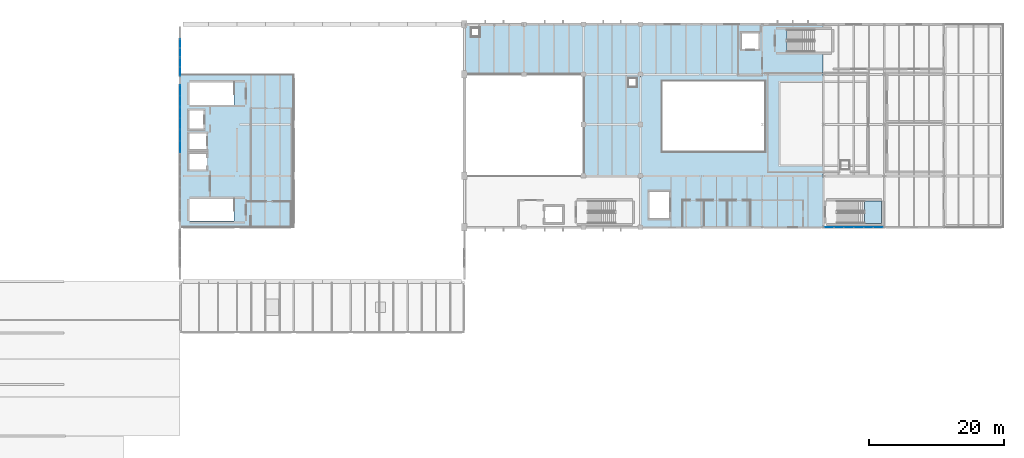
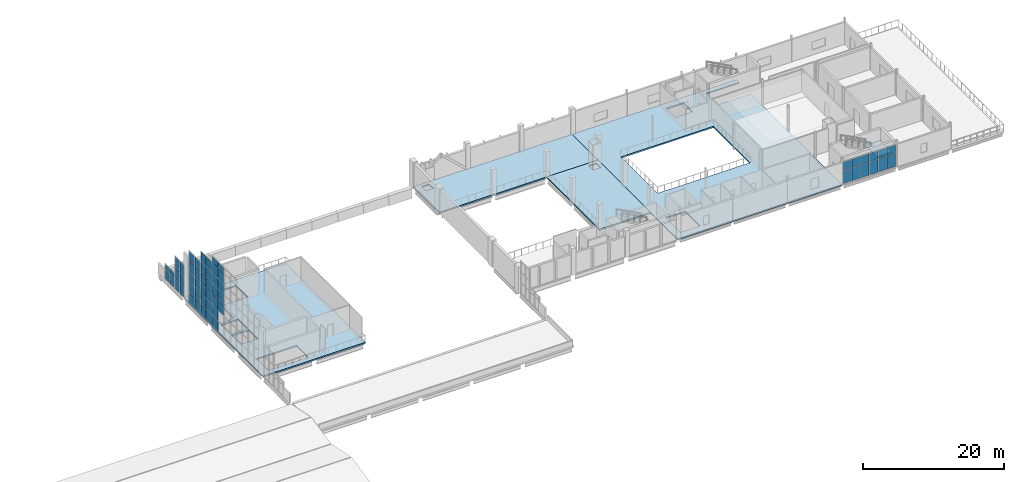
# One storey, part 24 of 37: 56 plates, 5 slabs, 7 elements without a shape of their own.
"""IFC4 building model written with IfcOpenShell, lengths in metres."""

from ifc_helpers import new_model, si_unit, direction, frame, origin, origin_2d, place, context, subcontext, project, spatial, polyline, rectangle, outline, extrude, material, layer, layer_set, type_object, element, aggregate, save


model = new_model("IFC4")

# Units and contexts
model_context = context("Model", 3, precision=1e-05, world=origin(), true_north=direction((0.0, 1.0)))
body_context = subcontext(model_context, "Body", "Model", "MODEL_VIEW")
ifc_project = project(units=[si_unit("LENGTHUNIT", "METRE"), si_unit("AREAUNIT", "SQUARE_METRE"), si_unit("VOLUMEUNIT", "CUBIC_METRE"), si_unit("PLANEANGLEUNIT", "RADIAN"), si_unit("MASSUNIT", "GRAM", prefix="KILO")], contexts=[model_context])

# Site, building, storey
site_placement = place(None, origin())
site = spatial("IfcSite", under=ifc_project, at=site_placement, CompositionType="ELEMENT")
building_placement = place(site_placement, origin())
building = spatial("IfcBuilding", under=site, at=building_placement, Name="Shengluoqiao Park Theatre", CompositionType="ELEMENT")
storey_placement = place(building_placement, frame((0.0, 0.0, 19.199951171875)))
storey = spatial("IfcBuildingStorey", under=building, at=storey_placement, Name="L04", CompositionType="ELEMENT", Elevation=19.199951171875)

# Curtain wall, plates
ifc_material_1 = material(Name="Aluminium 6063-T6", Category="aluminium")
curtain_wall_type = type_object("IfcCurtainWallType", Name="ENV-CW-CLERE", PredefinedType="NOTDEFINED", material=ifc_material_1)
curtain_wall_1_placement = place(storey_placement, origin())
curtain_wall_1 = element("IfcCurtainWall", 1, at=curtain_wall_1_placement, inside=storey, type_object=curtain_wall_type, Name="L04 Curtain Wall CW-L04-GABLE-0225", PredefinedType="NOTDEFINED")
ifc_material_2 = material(Name="Insulated glass", Category="glass")
ifc_layer_1 = layer(ifc_material_2, 0.028076171875, Name="Insulated glass")
ifc_layer_set_1 = layer_set([ifc_layer_1], Name="Insulated glass")
plate_type_1 = type_object("IfcPlateType", Name="ENV-GLZ-GL-28", PredefinedType="CURTAIN_PANEL", material=ifc_layer_set_1)
plate_1_placement = place(storey_placement, frame((44.39990234375, 95.90625, 3.732421875), z_axis=(0.0, 0.0, 1.0), x_axis=(0.0, 1.0, 0.0)))
plate_1 = element("IfcPlate", 2, at=plate_1_placement, type_object=plate_type_1, Name="CW-06 panel 1.3", PredefinedType="CURTAIN_PANEL", context=body_context, shape_type="SweptSolid", body=[
    extrude(rectangle(XDim=1.6025390625, YDim=0.028076171875, at=origin_2d()), origin(), (0.0, 0.0, 1.0), 1.784912109375),
])
plate_2_placement = place(storey_placement, frame((44.39990234375, 95.90625, 5.58251953125), z_axis=(0.0, 0.0, 1.0), x_axis=(0.0, 1.0, 0.0)))
plate_2 = element("IfcPlate", 3, at=plate_2_placement, type_object=plate_type_1, Name="CW-06 panel 1.4", PredefinedType="CURTAIN_PANEL", context=body_context, shape_type="SweptSolid", body=[
    extrude(rectangle(XDim=1.6025390625, YDim=0.028076171875, at=origin_2d()), origin(), (0.0, 0.0, 1.0), 1.784912109375),
])
plate_3_placement = place(storey_placement, frame((44.39990234375, 95.90625, 7.4326171875), z_axis=(0.0, 0.0, 1.0), x_axis=(0.0, 1.0, 0.0)))
plate_3 = element("IfcPlate", 4, at=plate_3_placement, type_object=plate_type_1, Name="CW-06 panel 1.5", PredefinedType="CURTAIN_PANEL", context=body_context, shape_type="SweptSolid", body=[
    extrude(rectangle(XDim=1.6025390625, YDim=0.028076171875, at=origin_2d()), origin(), (0.0, 0.0, 1.0), 1.784912109375),
])
plate_4_placement = place(storey_placement, frame((44.39990234375, 95.90625, 9.28271484375), z_axis=(0.0, 0.0, 1.0), x_axis=(0.0, 1.0, 0.0)))
plate_4 = element("IfcPlate", 5, at=plate_4_placement, type_object=plate_type_1, Name="CW-06 panel 1.6", PredefinedType="CURTAIN_PANEL", context=body_context, shape_type="SweptSolid", body=[
    extrude(rectangle(XDim=1.6025390625, YDim=0.028076171875, at=origin_2d()), origin(), (0.0, 0.0, 1.0), 1.784912109375),
])
plate_5_placement = place(storey_placement, frame((44.39990234375, 95.90625, 11.13232421875), z_axis=(0.0, 0.0, 1.0), x_axis=(0.0, 1.0, 0.0)))
plate_5 = element("IfcPlate", 6, at=plate_5_placement, type_object=plate_type_1, Name="CW-06 panel 1.7", PredefinedType="CURTAIN_PANEL", context=body_context, shape_type="SweptSolid", body=[
    extrude(rectangle(XDim=1.6025390625, YDim=0.028076171875, at=origin_2d()), origin(), (0.0, 0.0, 1.0), 0.949462890625),
])
plate_6_placement = place(storey_placement, frame((44.39990234375, 97.57373046875, 0.065185546875), z_axis=(0.0, 0.0, 1.0), x_axis=(0.0, 1.0, 0.0)))
plate_6 = element("IfcPlate", 7, at=plate_6_placement, type_object=plate_type_1, Name="CW-06 panel 2.1", PredefinedType="CURTAIN_PANEL", context=body_context, shape_type="SweptSolid", body=[
    extrude(rectangle(XDim=1.6025390625, YDim=0.028076171875, at=origin_2d()), origin(), (0.0, 0.0, 1.0), 1.75244140625),
])
plate_7_placement = place(storey_placement, frame((44.39990234375, 97.57373046875, 1.8828125), z_axis=(0.0, 0.0, 1.0), x_axis=(0.0, 1.0, 0.0)))
plate_7 = element("IfcPlate", 8, at=plate_7_placement, type_object=plate_type_1, Name="CW-06 panel 2.2", PredefinedType="CURTAIN_PANEL", context=body_context, shape_type="SweptSolid", body=[
    extrude(rectangle(XDim=1.6025390625, YDim=0.028076171875, at=origin_2d()), origin(), (0.0, 0.0, 1.0), 1.784912109375),
])
plate_8_placement = place(storey_placement, frame((44.39990234375, 97.57373046875, 3.732421875), z_axis=(0.0, 0.0, 1.0), x_axis=(0.0, 1.0, 0.0)))
plate_8 = element("IfcPlate", 9, at=plate_8_placement, type_object=plate_type_1, Name="CW-06 panel 2.3", PredefinedType="CURTAIN_PANEL", context=body_context, shape_type="SweptSolid", body=[
    extrude(rectangle(XDim=1.6025390625, YDim=0.028076171875, at=origin_2d()), origin(), (0.0, 0.0, 1.0), 1.784912109375),
])
plate_9_placement = place(storey_placement, frame((44.39990234375, 97.57373046875, 5.58251953125), z_axis=(0.0, 0.0, 1.0), x_axis=(0.0, 1.0, 0.0)))
plate_9 = element("IfcPlate", 10, at=plate_9_placement, type_object=plate_type_1, Name="CW-06 panel 2.4", PredefinedType="CURTAIN_PANEL", context=body_context, shape_type="SweptSolid", body=[
    extrude(rectangle(XDim=1.6025390625, YDim=0.028076171875, at=origin_2d()), origin(), (0.0, 0.0, 1.0), 1.784912109375),
])
plate_10_placement = place(storey_placement, frame((44.39990234375, 97.57373046875, 7.4326171875), z_axis=(0.0, 0.0, 1.0), x_axis=(0.0, 1.0, 0.0)))
plate_10 = element("IfcPlate", 11, at=plate_10_placement, type_object=plate_type_1, Name="CW-06 panel 2.5", PredefinedType="CURTAIN_PANEL", context=body_context, shape_type="SweptSolid", body=[
    extrude(rectangle(XDim=1.6025390625, YDim=0.028076171875, at=origin_2d()), origin(), (0.0, 0.0, 1.0), 1.784912109375),
])
plate_11_placement = place(storey_placement, frame((44.39990234375, 97.57373046875, 9.28271484375), z_axis=(0.0, 0.0, 1.0), x_axis=(0.0, 1.0, 0.0)))
plate_11 = element("IfcPlate", 12, at=plate_11_placement, type_object=plate_type_1, Name="CW-06 panel 2.6", PredefinedType="CURTAIN_PANEL", context=body_context, shape_type="SweptSolid", body=[
    extrude(rectangle(XDim=1.6025390625, YDim=0.028076171875, at=origin_2d()), origin(), (0.0, 0.0, 1.0), 1.784912109375),
])
plate_12_placement = place(storey_placement, frame((44.39990234375, 97.57373046875, 11.13232421875), z_axis=(0.0, 0.0, 1.0), x_axis=(0.0, 1.0, 0.0)))
plate_12 = element("IfcPlate", 13, at=plate_12_placement, type_object=plate_type_1, Name="CW-06 panel 2.7", PredefinedType="CURTAIN_PANEL", context=body_context, shape_type="SweptSolid", body=[
    extrude(rectangle(XDim=1.6025390625, YDim=0.028076171875, at=origin_2d()), origin(), (0.0, 0.0, 1.0), 0.949462890625),
])
aggregate(curtain_wall_1, [plate_1, plate_2, plate_3, plate_4, plate_5, plate_6, plate_7, plate_8, plate_9, plate_10, plate_11, plate_12])

curtain_wall_2_placement = place(storey_placement, origin())
curtain_wall_2 = element("IfcCurtainWall", 14, at=curtain_wall_2_placement, inside=storey, type_object=curtain_wall_type, Name="L04 Curtain Wall CW-L04-GABLE-0226", PredefinedType="NOTDEFINED")
plate_13_placement = place(storey_placement, frame((44.39990234375, 99.326171875, 0.065185546875), z_axis=(0.0, 0.0, 1.0), x_axis=(0.0, 1.0, 0.0)))
plate_13 = element("IfcPlate", 15, at=plate_13_placement, type_object=plate_type_1, Name="CW-06 panel 1.1", PredefinedType="CURTAIN_PANEL", context=body_context, shape_type="SweptSolid", body=[
    extrude(rectangle(XDim=1.5224609375, YDim=0.028076171875, at=origin_2d()), origin(), (0.0, 0.0, 1.0), 1.75244140625),
])
plate_14_placement = place(storey_placement, frame((44.39990234375, 99.326171875, 1.8828125), z_axis=(0.0, 0.0, 1.0), x_axis=(0.0, 1.0, 0.0)))
plate_14 = element("IfcPlate", 16, at=plate_14_placement, type_object=plate_type_1, Name="CW-06 panel 1.2", PredefinedType="CURTAIN_PANEL", context=body_context, shape_type="SweptSolid", body=[
    extrude(rectangle(XDim=1.5224609375, YDim=0.028076171875, at=origin_2d()), origin(), (0.0, 0.0, 1.0), 1.784912109375),
])
plate_15_placement = place(storey_placement, frame((44.39990234375, 99.326171875, 3.732421875), z_axis=(0.0, 0.0, 1.0), x_axis=(0.0, 1.0, 0.0)))
plate_15 = element("IfcPlate", 17, at=plate_15_placement, type_object=plate_type_1, Name="CW-06 panel 1.3", PredefinedType="CURTAIN_PANEL", context=body_context, shape_type="SweptSolid", body=[
    extrude(rectangle(XDim=1.5224609375, YDim=0.028076171875, at=origin_2d()), origin(), (0.0, 0.0, 1.0), 1.784912109375),
])
plate_16_placement = place(storey_placement, frame((44.39990234375, 99.326171875, 5.58251953125), z_axis=(0.0, 0.0, 1.0), x_axis=(0.0, 1.0, 0.0)))
plate_16 = element("IfcPlate", 18, at=plate_16_placement, type_object=plate_type_1, Name="CW-06 panel 1.4", PredefinedType="CURTAIN_PANEL", context=body_context, shape_type="SweptSolid", body=[
    extrude(rectangle(XDim=1.5224609375, YDim=0.028076171875, at=origin_2d()), origin(), (0.0, 0.0, 1.0), 1.784912109375),
])
plate_17_placement = place(storey_placement, frame((44.39990234375, 99.326171875, 7.4326171875), z_axis=(0.0, 0.0, 1.0), x_axis=(0.0, 1.0, 0.0)))
plate_17 = element("IfcPlate", 19, at=plate_17_placement, type_object=plate_type_1, Name="CW-06 panel 1.5", PredefinedType="CURTAIN_PANEL", context=body_context, shape_type="SweptSolid", body=[
    extrude(rectangle(XDim=1.5224609375, YDim=0.028076171875, at=origin_2d()), origin(), (0.0, 0.0, 1.0), 1.784912109375),
])
plate_18_placement = place(storey_placement, frame((44.39990234375, 99.326171875, 9.282470703125), z_axis=(0.0, 0.0, 1.0), x_axis=(0.0, 1.0, 0.0)))
plate_18 = element("IfcPlate", 20, at=plate_18_placement, type_object=plate_type_1, Name="CW-06 panel 1.6", PredefinedType="CURTAIN_PANEL", context=body_context, shape_type="SweptSolid", body=[
    extrude(rectangle(XDim=1.5224609375, YDim=0.028076171875, at=origin_2d()), origin(), (0.0, 0.0, 1.0), 1.626953125),
])
plate_19_placement = place(storey_placement, frame((44.39990234375, 100.913818359375, 0.065185546875), z_axis=(0.0, 0.0, 1.0), x_axis=(0.0, 1.0, 0.0)))
plate_19 = element("IfcPlate", 21, at=plate_19_placement, type_object=plate_type_1, Name="CW-06 panel 2.1", PredefinedType="CURTAIN_PANEL", context=body_context, shape_type="SweptSolid", body=[
    extrude(rectangle(XDim=1.5224609375, YDim=0.028076171875, at=origin_2d()), origin(), (0.0, 0.0, 1.0), 1.75244140625),
])
plate_20_placement = place(storey_placement, frame((44.39990234375, 100.913818359375, 1.8828125), z_axis=(0.0, 0.0, 1.0), x_axis=(0.0, 1.0, 0.0)))
plate_20 = element("IfcPlate", 22, at=plate_20_placement, type_object=plate_type_1, Name="CW-06 panel 2.2", PredefinedType="CURTAIN_PANEL", context=body_context, shape_type="SweptSolid", body=[
    extrude(rectangle(XDim=1.5224609375, YDim=0.028076171875, at=origin_2d()), origin(), (0.0, 0.0, 1.0), 1.784912109375),
])
plate_21_placement = place(storey_placement, frame((44.39990234375, 100.913818359375, 3.732421875), z_axis=(0.0, 0.0, 1.0), x_axis=(0.0, 1.0, 0.0)))
plate_21 = element("IfcPlate", 23, at=plate_21_placement, type_object=plate_type_1, Name="CW-06 panel 2.3", PredefinedType="CURTAIN_PANEL", context=body_context, shape_type="SweptSolid", body=[
    extrude(rectangle(XDim=1.5224609375, YDim=0.028076171875, at=origin_2d()), origin(), (0.0, 0.0, 1.0), 1.784912109375),
])
plate_22_placement = place(storey_placement, frame((44.39990234375, 100.913818359375, 5.58251953125), z_axis=(0.0, 0.0, 1.0), x_axis=(0.0, 1.0, 0.0)))
plate_22 = element("IfcPlate", 24, at=plate_22_placement, type_object=plate_type_1, Name="CW-06 panel 2.4", PredefinedType="CURTAIN_PANEL", context=body_context, shape_type="SweptSolid", body=[
    extrude(rectangle(XDim=1.5224609375, YDim=0.028076171875, at=origin_2d()), origin(), (0.0, 0.0, 1.0), 1.784912109375),
])
plate_23_placement = place(storey_placement, frame((44.39990234375, 100.913818359375, 7.4326171875), z_axis=(0.0, 0.0, 1.0), x_axis=(0.0, 1.0, 0.0)))
plate_23 = element("IfcPlate", 25, at=plate_23_placement, type_object=plate_type_1, Name="CW-06 panel 2.5", PredefinedType="CURTAIN_PANEL", context=body_context, shape_type="SweptSolid", body=[
    extrude(rectangle(XDim=1.5224609375, YDim=0.028076171875, at=origin_2d()), origin(), (0.0, 0.0, 1.0), 1.784912109375),
])
plate_24_placement = place(storey_placement, frame((44.39990234375, 100.913818359375, 9.282470703125), z_axis=(0.0, 0.0, 1.0), x_axis=(0.0, 1.0, 0.0)))
plate_24 = element("IfcPlate", 26, at=plate_24_placement, type_object=plate_type_1, Name="CW-06 panel 2.6", PredefinedType="CURTAIN_PANEL", context=body_context, shape_type="SweptSolid", body=[
    extrude(rectangle(XDim=1.5224609375, YDim=0.028076171875, at=origin_2d()), origin(), (0.0, 0.0, 1.0), 1.626953125),
])
aggregate(curtain_wall_2, [plate_13, plate_14, plate_15, plate_16, plate_17, plate_18, plate_19, plate_20, plate_21, plate_22, plate_23, plate_24])

curtain_wall_3_placement = place(storey_placement, origin())
curtain_wall_3 = element("IfcCurtainWall", 27, at=curtain_wall_3_placement, inside=storey, type_object=curtain_wall_type, Name="L04 Curtain Wall CW-L04-GABLE-0227", PredefinedType="NOTDEFINED")
plate_25_placement = place(storey_placement, frame((44.39990234375, 102.63134765625, 0.065185546875), z_axis=(0.0, 0.0, 1.0), x_axis=(0.0, 1.0, 0.0)))
plate_25 = element("IfcPlate", 28, at=plate_25_placement, type_object=plate_type_1, Name="CW-06 panel 1.1", PredefinedType="CURTAIN_PANEL", context=body_context, shape_type="SweptSolid", body=[
    extrude(rectangle(XDim=1.532470703125, YDim=0.028076171875, at=origin_2d()), origin(), (0.0, 0.0, 1.0), 1.75244140625),
])
plate_26_placement = place(storey_placement, frame((44.39990234375, 102.63134765625, 1.8828125), z_axis=(0.0, 0.0, 1.0), x_axis=(0.0, 1.0, 0.0)))
plate_26 = element("IfcPlate", 29, at=plate_26_placement, type_object=plate_type_1, Name="CW-06 panel 1.2", PredefinedType="CURTAIN_PANEL", context=body_context, shape_type="SweptSolid", body=[
    extrude(rectangle(XDim=1.532470703125, YDim=0.028076171875, at=origin_2d()), origin(), (0.0, 0.0, 1.0), 1.784912109375),
])
plate_27_placement = place(storey_placement, frame((44.39990234375, 102.63134765625, 3.732421875), z_axis=(0.0, 0.0, 1.0), x_axis=(0.0, 1.0, 0.0)))
plate_27 = element("IfcPlate", 30, at=plate_27_placement, type_object=plate_type_1, Name="CW-06 panel 1.3", PredefinedType="CURTAIN_PANEL", context=body_context, shape_type="SweptSolid", body=[
    extrude(rectangle(XDim=1.532470703125, YDim=0.028076171875, at=origin_2d()), origin(), (0.0, 0.0, 1.0), 1.784912109375),
])
plate_28_placement = place(storey_placement, frame((44.39990234375, 102.63134765625, 5.58251953125), z_axis=(0.0, 0.0, 1.0), x_axis=(0.0, 1.0, 0.0)))
plate_28 = element("IfcPlate", 31, at=plate_28_placement, type_object=plate_type_1, Name="CW-06 panel 1.4", PredefinedType="CURTAIN_PANEL", context=body_context, shape_type="SweptSolid", body=[
    extrude(rectangle(XDim=1.532470703125, YDim=0.028076171875, at=origin_2d()), origin(), (0.0, 0.0, 1.0), 1.784912109375),
])
plate_29_placement = place(storey_placement, frame((44.39990234375, 102.63134765625, 7.4326171875), z_axis=(0.0, 0.0, 1.0), x_axis=(0.0, 1.0, 0.0)))
plate_29 = element("IfcPlate", 32, at=plate_29_placement, type_object=plate_type_1, Name="CW-06 panel 1.5", PredefinedType="CURTAIN_PANEL", context=body_context, shape_type="SweptSolid", body=[
    extrude(rectangle(XDim=1.532470703125, YDim=0.028076171875, at=origin_2d()), origin(), (0.0, 0.0, 1.0), 1.5302734375),
])
plate_30_placement = place(storey_placement, frame((44.39990234375, 104.228759765625, 0.065185546875), z_axis=(0.0, 0.0, 1.0), x_axis=(0.0, 1.0, 0.0)))
plate_30 = element("IfcPlate", 33, at=plate_30_placement, type_object=plate_type_1, Name="CW-06 panel 2.1", PredefinedType="CURTAIN_PANEL", context=body_context, shape_type="SweptSolid", body=[
    extrude(rectangle(XDim=1.532470703125, YDim=0.028076171875, at=origin_2d()), origin(), (0.0, 0.0, 1.0), 1.75244140625),
])
plate_31_placement = place(storey_placement, frame((44.39990234375, 104.228759765625, 1.8828125), z_axis=(0.0, 0.0, 1.0), x_axis=(0.0, 1.0, 0.0)))
plate_31 = element("IfcPlate", 34, at=plate_31_placement, type_object=plate_type_1, Name="CW-06 panel 2.2", PredefinedType="CURTAIN_PANEL", context=body_context, shape_type="SweptSolid", body=[
    extrude(rectangle(XDim=1.532470703125, YDim=0.028076171875, at=origin_2d()), origin(), (0.0, 0.0, 1.0), 1.784912109375),
])
plate_32_placement = place(storey_placement, frame((44.39990234375, 104.228759765625, 3.732421875), z_axis=(0.0, 0.0, 1.0), x_axis=(0.0, 1.0, 0.0)))
plate_32 = element("IfcPlate", 35, at=plate_32_placement, type_object=plate_type_1, Name="CW-06 panel 2.3", PredefinedType="CURTAIN_PANEL", context=body_context, shape_type="SweptSolid", body=[
    extrude(rectangle(XDim=1.532470703125, YDim=0.028076171875, at=origin_2d()), origin(), (0.0, 0.0, 1.0), 1.784912109375),
])
plate_33_placement = place(storey_placement, frame((44.39990234375, 104.228759765625, 5.58251953125), z_axis=(0.0, 0.0, 1.0), x_axis=(0.0, 1.0, 0.0)))
plate_33 = element("IfcPlate", 36, at=plate_33_placement, type_object=plate_type_1, Name="CW-06 panel 2.4", PredefinedType="CURTAIN_PANEL", context=body_context, shape_type="SweptSolid", body=[
    extrude(rectangle(XDim=1.532470703125, YDim=0.028076171875, at=origin_2d()), origin(), (0.0, 0.0, 1.0), 1.784912109375),
])
plate_34_placement = place(storey_placement, frame((44.39990234375, 104.228759765625, 7.4326171875), z_axis=(0.0, 0.0, 1.0), x_axis=(0.0, 1.0, 0.0)))
plate_34 = element("IfcPlate", 37, at=plate_34_placement, type_object=plate_type_1, Name="CW-06 panel 2.5", PredefinedType="CURTAIN_PANEL", context=body_context, shape_type="SweptSolid", body=[
    extrude(rectangle(XDim=1.532470703125, YDim=0.028076171875, at=origin_2d()), origin(), (0.0, 0.0, 1.0), 1.5302734375),
])
aggregate(curtain_wall_3, [plate_25, plate_26, plate_27, plate_28, plate_29, plate_30, plate_31, plate_32, plate_33, plate_34])

curtain_wall_4_placement = place(storey_placement, origin())
curtain_wall_4 = element("IfcCurtainWall", 38, at=curtain_wall_4_placement, inside=storey, type_object=curtain_wall_type, Name="L04 Curtain Wall CW-L04-GABLE-0228", PredefinedType="NOTDEFINED")
plate_35_placement = place(storey_placement, frame((44.39990234375, 107.0361328125, 0.065185546875), z_axis=(0.0, 0.0, 1.0), x_axis=(0.0, 1.0, 0.0)))
plate_35 = element("IfcPlate", 39, at=plate_35_placement, type_object=plate_type_1, Name="CW-06 panel 1.1", PredefinedType="CURTAIN_PANEL", context=body_context, shape_type="SweptSolid", body=[
    extrude(rectangle(XDim=1.262451171875, YDim=0.028076171875, at=origin_2d()), origin(), (0.0, 0.0, 1.0), 1.75244140625),
])
plate_36_placement = place(storey_placement, frame((44.39990234375, 107.0361328125, 1.8828125), z_axis=(0.0, 0.0, 1.0), x_axis=(0.0, 1.0, 0.0)))
plate_36 = element("IfcPlate", 40, at=plate_36_placement, type_object=plate_type_1, Name="CW-06 panel 1.2", PredefinedType="CURTAIN_PANEL", context=body_context, shape_type="SweptSolid", body=[
    extrude(rectangle(XDim=1.262451171875, YDim=0.028076171875, at=origin_2d()), origin(), (0.0, 0.0, 1.0), 1.784912109375),
])
plate_37_placement = place(storey_placement, frame((44.39990234375, 107.0361328125, 3.732421875), z_axis=(0.0, 0.0, 1.0), x_axis=(0.0, 1.0, 0.0)))
plate_37 = element("IfcPlate", 41, at=plate_37_placement, type_object=plate_type_1, Name="CW-06 panel 1.3", PredefinedType="CURTAIN_PANEL", context=body_context, shape_type="SweptSolid", body=[
    extrude(rectangle(XDim=1.262451171875, YDim=0.028076171875, at=origin_2d()), origin(), (0.0, 0.0, 1.0), 1.86279296875),
])
plate_38_placement = place(storey_placement, frame((44.39990234375, 108.36376953125, 0.065185546875), z_axis=(0.0, 0.0, 1.0), x_axis=(0.0, 1.0, 0.0)))
plate_38 = element("IfcPlate", 42, at=plate_38_placement, type_object=plate_type_1, Name="CW-06 panel 2.1", PredefinedType="CURTAIN_PANEL", context=body_context, shape_type="SweptSolid", body=[
    extrude(rectangle(XDim=1.262451171875, YDim=0.028076171875, at=origin_2d()), origin(), (0.0, 0.0, 1.0), 1.75244140625),
])
plate_39_placement = place(storey_placement, frame((44.39990234375, 108.36376953125, 1.8828125), z_axis=(0.0, 0.0, 1.0), x_axis=(0.0, 1.0, 0.0)))
plate_39 = element("IfcPlate", 43, at=plate_39_placement, type_object=plate_type_1, Name="CW-06 panel 2.2", PredefinedType="CURTAIN_PANEL", context=body_context, shape_type="SweptSolid", body=[
    extrude(rectangle(XDim=1.262451171875, YDim=0.028076171875, at=origin_2d()), origin(), (0.0, 0.0, 1.0), 1.784912109375),
])
plate_40_placement = place(storey_placement, frame((44.39990234375, 108.36376953125, 3.732421875), z_axis=(0.0, 0.0, 1.0), x_axis=(0.0, 1.0, 0.0)))
plate_40 = element("IfcPlate", 44, at=plate_40_placement, type_object=plate_type_1, Name="CW-06 panel 2.3", PredefinedType="CURTAIN_PANEL", context=body_context, shape_type="SweptSolid", body=[
    extrude(rectangle(XDim=1.262451171875, YDim=0.028076171875, at=origin_2d()), origin(), (0.0, 0.0, 1.0), 1.86279296875),
])
aggregate(curtain_wall_4, [plate_35, plate_36, plate_37, plate_38, plate_39, plate_40])

curtain_wall_5_placement = place(storey_placement, origin())
curtain_wall_5 = element("IfcCurtainWall", 45, at=curtain_wall_5_placement, inside=storey, type_object=curtain_wall_type, Name="L04 Curtain Wall CW-L04-GABLE-0229", PredefinedType="NOTDEFINED")
plate_41_placement = place(storey_placement, frame((44.39990234375, 109.8212890625, 0.065185546875), z_axis=(0.0, 0.0, 1.0), x_axis=(0.0, 1.0, 0.0)))
plate_41 = element("IfcPlate", 46, at=plate_41_placement, type_object=plate_type_1, Name="CW-06 panel 1.1", PredefinedType="CURTAIN_PANEL", context=body_context, shape_type="SweptSolid", body=[
    extrude(rectangle(XDim=1.2724609375, YDim=0.028076171875, at=origin_2d()), origin(), (0.0, 0.0, 1.0), 1.75244140625),
])
plate_42_placement = place(storey_placement, frame((44.39990234375, 109.8212890625, 1.882568359375), z_axis=(0.0, 0.0, 1.0), x_axis=(0.0, 1.0, 0.0)))
plate_42 = element("IfcPlate", 47, at=plate_42_placement, type_object=plate_type_1, Name="CW-06 panel 1.2", PredefinedType="CURTAIN_PANEL", context=body_context, shape_type="SweptSolid", body=[
    extrude(rectangle(XDim=1.2724609375, YDim=0.028076171875, at=origin_2d()), origin(), (0.0, 0.0, 1.0), 0.69091796875),
])
plate_43_placement = place(storey_placement, frame((44.39990234375, 111.15869140625, 0.065185546875), z_axis=(0.0, 0.0, 1.0), x_axis=(0.0, 1.0, 0.0)))
plate_43 = element("IfcPlate", 48, at=plate_43_placement, type_object=plate_type_1, Name="CW-06 panel 2.1", PredefinedType="CURTAIN_PANEL", context=body_context, shape_type="SweptSolid", body=[
    extrude(rectangle(XDim=1.2724609375, YDim=0.028076171875, at=origin_2d()), origin(), (0.0, 0.0, 1.0), 1.75244140625),
])
plate_44_placement = place(storey_placement, frame((44.39990234375, 111.15869140625, 1.882568359375), z_axis=(0.0, 0.0, 1.0), x_axis=(0.0, 1.0, 0.0)))
plate_44 = element("IfcPlate", 49, at=plate_44_placement, type_object=plate_type_1, Name="CW-06 panel 2.2", PredefinedType="CURTAIN_PANEL", context=body_context, shape_type="SweptSolid", body=[
    extrude(rectangle(XDim=1.2724609375, YDim=0.028076171875, at=origin_2d()), origin(), (0.0, 0.0, 1.0), 0.69091796875),
])
aggregate(curtain_wall_5, [plate_41, plate_42, plate_43, plate_44])

curtain_wall_6_placement = place(storey_placement, origin())
curtain_wall_6 = element("IfcCurtainWall", 50, at=curtain_wall_6_placement, inside=storey, type_object=curtain_wall_type, Name="L04 Curtain Wall CWX-L04-0201", PredefinedType="NOTDEFINED")
ifc_layer_2 = layer(ifc_material_2, 0.0380859375, Name="Insulated glass")
ifc_layer_set_2 = layer_set([ifc_layer_2], Name="Insulated glass")
plate_type_2 = type_object("IfcPlateType", Name="ENV-GLZ-GL-38", PredefinedType="CURTAIN_PANEL", material=ifc_layer_set_2)
plate_45_placement = place(storey_placement, frame((140.274658203125, 84.0, 0.06005859375), z_axis=(0.0, 0.0, 1.0), x_axis=(1.0, 0.0, 0.0)))
plate_45 = element("IfcPlate", 51, at=plate_45_placement, type_object=plate_type_2, Name="CW-06 panel 1.1", PredefinedType="CURTAIN_PANEL", context=body_context, shape_type="SweptSolid", body=[
    extrude(rectangle(XDim=1.3662109375, YDim=0.0380859375, at=origin_2d()), origin(), (0.0, 0.0, 1.0), 2.237060546875),
])
plate_46_placement = place(storey_placement, frame((140.274658203125, 84.0, 2.357177734375), z_axis=(0.0, 0.0, 1.0), x_axis=(1.0, 0.0, 0.0)))
plate_46 = element("IfcPlate", 52, at=plate_46_placement, type_object=plate_type_2, Name="CW-06 panel 1.2", PredefinedType="CURTAIN_PANEL", context=body_context, shape_type="SweptSolid", body=[
    extrude(rectangle(XDim=1.3662109375, YDim=0.0380859375, at=origin_2d()), origin(), (0.0, 0.0, 1.0), 1.4609375),
])
plate_47_placement = place(storey_placement, frame((141.7158203125, 84.0, 0.06005859375), z_axis=(0.0, 0.0, 1.0), x_axis=(1.0, 0.0, 0.0)))
plate_47 = element("IfcPlate", 53, at=plate_47_placement, type_object=plate_type_2, Name="CW-06 panel 2.1", PredefinedType="CURTAIN_PANEL", context=body_context, shape_type="SweptSolid", body=[
    extrude(rectangle(XDim=1.396240234375, YDim=0.0380859375, at=origin_2d()), origin(), (0.0, 0.0, 1.0), 2.237060546875),
])
plate_48_placement = place(storey_placement, frame((141.7158203125, 84.0, 2.357177734375), z_axis=(0.0, 0.0, 1.0), x_axis=(1.0, 0.0, 0.0)))
plate_48 = element("IfcPlate", 54, at=plate_48_placement, type_object=plate_type_2, Name="CW-06 panel 2.2", PredefinedType="CURTAIN_PANEL", context=body_context, shape_type="SweptSolid", body=[
    extrude(rectangle(XDim=1.396240234375, YDim=0.0380859375, at=origin_2d()), origin(), (0.0, 0.0, 1.0), 1.4609375),
])
plate_49_placement = place(storey_placement, frame((143.171875, 84.0, 0.06005859375), z_axis=(0.0, 0.0, 1.0), x_axis=(1.0, 0.0, 0.0)))
plate_49 = element("IfcPlate", 55, at=plate_49_placement, type_object=plate_type_2, Name="CW-06 panel 3.1", PredefinedType="CURTAIN_PANEL", context=body_context, shape_type="SweptSolid", body=[
    extrude(rectangle(XDim=1.396240234375, YDim=0.0380859375, at=origin_2d()), origin(), (0.0, 0.0, 1.0), 2.237060546875),
])
plate_50_placement = place(storey_placement, frame((143.171875, 84.0, 2.357177734375), z_axis=(0.0, 0.0, 1.0), x_axis=(1.0, 0.0, 0.0)))
plate_50 = element("IfcPlate", 56, at=plate_50_placement, type_object=plate_type_2, Name="CW-06 panel 3.2", PredefinedType="CURTAIN_PANEL", context=body_context, shape_type="SweptSolid", body=[
    extrude(rectangle(XDim=1.396240234375, YDim=0.0380859375, at=origin_2d()), origin(), (0.0, 0.0, 1.0), 1.4609375),
])
plate_51_placement = place(storey_placement, frame((144.628173828125, 84.0, 0.06005859375), z_axis=(0.0, 0.0, 1.0), x_axis=(1.0, 0.0, 0.0)))
plate_51 = element("IfcPlate", 57, at=plate_51_placement, type_object=plate_type_2, Name="CW-06 panel 4.1", PredefinedType="CURTAIN_PANEL", context=body_context, shape_type="SweptSolid", body=[
    extrude(rectangle(XDim=1.396240234375, YDim=0.0380859375, at=origin_2d()), origin(), (0.0, 0.0, 1.0), 2.237060546875),
])
plate_52_placement = place(storey_placement, frame((144.628173828125, 84.0, 2.357177734375), z_axis=(0.0, 0.0, 1.0), x_axis=(1.0, 0.0, 0.0)))
plate_52 = element("IfcPlate", 58, at=plate_52_placement, type_object=plate_type_2, Name="CW-06 panel 4.2", PredefinedType="CURTAIN_PANEL", context=body_context, shape_type="SweptSolid", body=[
    extrude(rectangle(XDim=1.396240234375, YDim=0.0380859375, at=origin_2d()), origin(), (0.0, 0.0, 1.0), 1.4609375),
])
plate_53_placement = place(storey_placement, frame((146.084228515625, 84.0, 0.06005859375), z_axis=(0.0, 0.0, 1.0), x_axis=(1.0, 0.0, 0.0)))
plate_53 = element("IfcPlate", 59, at=plate_53_placement, type_object=plate_type_2, Name="CW-06 panel 5.1", PredefinedType="CURTAIN_PANEL", context=body_context, shape_type="SweptSolid", body=[
    extrude(rectangle(XDim=1.396240234375, YDim=0.0380859375, at=origin_2d()), origin(), (0.0, 0.0, 1.0), 2.237060546875),
])
plate_54_placement = place(storey_placement, frame((146.084228515625, 84.0, 2.357177734375), z_axis=(0.0, 0.0, 1.0), x_axis=(1.0, 0.0, 0.0)))
plate_54 = element("IfcPlate", 60, at=plate_54_placement, type_object=plate_type_2, Name="CW-06 panel 5.2", PredefinedType="CURTAIN_PANEL", context=body_context, shape_type="SweptSolid", body=[
    extrude(rectangle(XDim=1.396240234375, YDim=0.0380859375, at=origin_2d()), origin(), (0.0, 0.0, 1.0), 1.4609375),
])
plate_55_placement = place(storey_placement, frame((147.525390625, 84.0, 0.06005859375), z_axis=(0.0, 0.0, 1.0), x_axis=(1.0, 0.0, 0.0)))
plate_55 = element("IfcPlate", 61, at=plate_55_placement, type_object=plate_type_2, Name="CW-06 panel 6.1", PredefinedType="CURTAIN_PANEL", context=body_context, shape_type="SweptSolid", body=[
    extrude(rectangle(XDim=1.3662109375, YDim=0.0380859375, at=origin_2d()), origin(), (0.0, 0.0, 1.0), 2.237060546875),
])
plate_56_placement = place(storey_placement, frame((147.525390625, 84.0, 2.357177734375), z_axis=(0.0, 0.0, 1.0), x_axis=(1.0, 0.0, 0.0)))
plate_56 = element("IfcPlate", 62, at=plate_56_placement, type_object=plate_type_2, Name="CW-06 panel 6.2", PredefinedType="CURTAIN_PANEL", context=body_context, shape_type="SweptSolid", body=[
    extrude(rectangle(XDim=1.3662109375, YDim=0.0380859375, at=origin_2d()), origin(), (0.0, 0.0, 1.0), 1.4609375),
])
aggregate(curtain_wall_6, [plate_45, plate_46, plate_47, plate_48, plate_49, plate_50, plate_51, plate_52, plate_53, plate_54, plate_55, plate_56])

# Stair, slab
ifc_material_3 = material(Name="Concrete C40", Category="concrete")
stair_type = type_object("IfcStairType", Name="INT-STR-CORE", PredefinedType="HALF_TURN_STAIR", material=ifc_material_3)
stair_placement = place(storey_placement, origin())
stair = element("IfcStair", 63, at=stair_placement, inside=storey, type_object=stair_type, Name="L04 Upper Backstage Escape Stair 10", PredefinedType="HALF_TURN_STAIR")
ifc_layer_3 = layer(ifc_material_3, 0.199951171875, Name="Concrete C40")
ifc_layer_set_3 = layer_set([ifc_layer_3], Name="Concrete C40")
slab_type_1 = type_object("IfcSlabType", Name="INT-LND-SL-200", PredefinedType="LANDING", material=ifc_layer_set_3)
slab_1_placement = place(storey_placement, frame((0.0, 0.0, 2.10009765625)))
slab_1 = element("IfcSlab", 64, at=slab_1_placement, type_object=slab_type_1, Name="ST-10 landing 1", PredefinedType="LANDING", context=body_context, shape_type="SweptSolid", body=[
    extrude(outline(polyline([(145.510009765625, 84.60009765625), (148.0, 84.60009765625), (148.0, 87.89990234375), (145.510009765625, 87.89990234375), (145.510009765625, 84.60009765625)])), origin(), (0.0, 0.0, 1.0), 0.199951171875),
])
aggregate(stair, [slab_1])

# Slabs
ifc_material_4 = material(Name="Concrete C35", Category="concrete")
ifc_layer_4 = layer(ifc_material_4, 0.239990234375, Name="Concrete C35")
ifc_layer_set_4 = layer_set([ifc_layer_4], Name="Concrete C35")
slab_type_2 = type_object("IfcSlabType", Name="STR-SLB-FL240", PredefinedType="FLOOR", material=ifc_layer_set_4)
slab_2_placement = place(storey_placement, frame((0.0, 0.0, -0.239990234375)))
element("IfcSlab", 65, at=slab_2_placement, inside=storey, type_object=slab_type_2, Name="Floor Slab L04-V1-WEST", PredefinedType="FLOOR", context=body_context, shape_type="SweptSolid", body=[
    extrude(outline(polyline([(44.39990234375, 84.0), (44.39990234375, 106.60009765625), (61.199951171875, 106.60009765625), (61.199951171875, 84.0), (44.39990234375, 84.0)]), holes=[polyline([(45.800048828125, 88.199951171875), (45.800048828125, 84.89990234375), (52.345947265625, 84.89990234375), (52.345947265625, 88.199951171875), (45.800048828125, 88.199951171875)]), polyline([(48.39990234375, 95.0), (45.60009765625, 95.0), (45.60009765625, 92.39990234375), (48.39990234375, 92.39990234375), (48.39990234375, 95.0)]), polyline([(48.39990234375, 98.0), (45.60009765625, 98.0), (45.60009765625, 95.39990234375), (48.39990234375, 95.39990234375), (48.39990234375, 98.0)]), polyline([(48.0, 101.39990234375), (45.60009765625, 101.39990234375), (45.60009765625, 98.39990234375), (48.0, 98.39990234375), (48.0, 101.39990234375)]), polyline([(45.800048828125, 105.39990234375), (45.800048828125, 102.10009765625), (52.345947265625, 102.10009765625), (52.345947265625, 105.39990234375), (45.800048828125, 105.39990234375)])]), origin(), (0.0, 0.0, 1.0), 0.239990234375),
])
slab_3_placement = place(storey_placement, frame((0.0, 0.0, -0.239990234375)))
element("IfcSlab", 66, at=slab_3_placement, inside=storey, type_object=slab_type_2, Name="Floor Slab L04-V2-FLYN", PredefinedType="FLOOR", context=body_context, shape_type="SweptSolid", body=[
    extrude(outline(polyline([(86.39990234375, 106.60009765625), (86.39990234375, 114.0), (112.39990234375, 114.0), (112.39990234375, 106.60009765625), (86.39990234375, 106.60009765625)]), holes=[polyline([(88.6201171875, 113.419921875), (87.39990234375, 113.419921875), (87.39990234375, 112.199951171875), (88.6201171875, 112.199951171875), (88.6201171875, 113.419921875)])]), origin(), (0.0, 0.0, 1.0), 0.239990234375),
])
slab_4_placement = place(storey_placement, frame((0.0, 0.0, -0.239990234375)))
element("IfcSlab", 67, at=slab_4_placement, inside=storey, type_object=slab_type_2, Name="Floor Slab L04-V2-FLYE", PredefinedType="FLOOR", context=body_context, shape_type="SweptSolid", body=[
    extrude(outline(polyline([(104.0, 91.60009765625), (104.0, 106.60009765625), (112.39990234375, 106.60009765625), (112.39990234375, 91.60009765625), (104.0, 91.60009765625)]), holes=[polyline([(111.820068359375, 106.02001953125), (110.60009765625, 106.02001953125), (110.60009765625, 104.800048828125), (111.820068359375, 104.800048828125), (111.820068359375, 106.02001953125)])]), origin(), (0.0, 0.0, 1.0), 0.239990234375),
])
slab_5_placement = place(storey_placement, frame((0.0, 0.0, -0.239990234375)))
element("IfcSlab", 68, at=slab_5_placement, inside=storey, type_object=slab_type_2, Name="Floor Slab L04-V6-NE1", PredefinedType="FLOOR", context=body_context, shape_type="SweptSolid", body=[
    extrude(outline(polyline([(139.39990234375, 84.0), (112.39990234375, 84.0), (112.39990234375, 114.0), (139.39990234375, 114.0), (139.39990234375, 113.199951171875), (134.053955078125, 113.199951171875), (134.053955078125, 109.89990234375), (139.39990234375, 109.89990234375), (139.39990234375, 84.0)]), holes=[polyline([(116.800048828125, 89.39990234375), (113.60009765625, 89.39990234375), (113.60009765625, 85.199951171875), (116.800048828125, 85.199951171875), (116.800048828125, 89.39990234375)]), polyline([(130.800048828125, 105.60009765625), (115.60009765625, 105.60009765625), (115.60009765625, 95.199951171875), (130.800048828125, 95.199951171875), (130.800048828125, 105.60009765625)]), polyline([(130.0, 112.800048828125), (127.199951171875, 112.800048828125), (127.199951171875, 110.199951171875), (130.0, 110.199951171875), (130.0, 112.800048828125)])]), origin(), (0.0, 0.0, 1.0), 0.239990234375),
])

save(model, "model.ifc")
